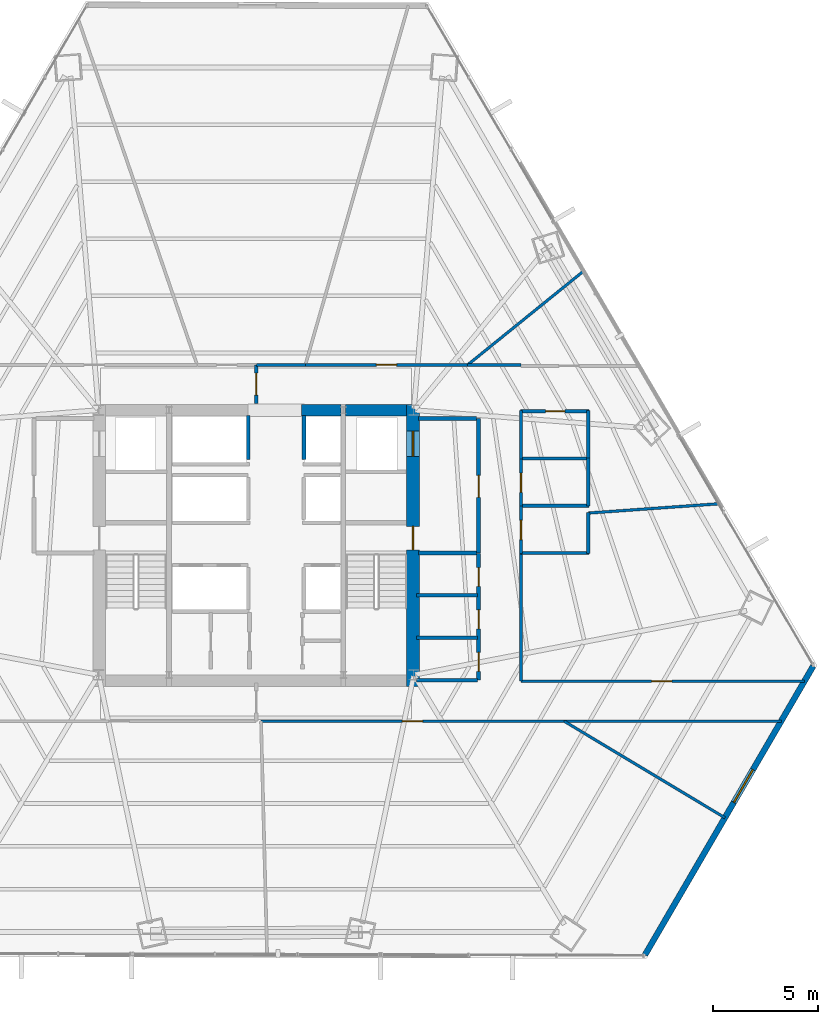
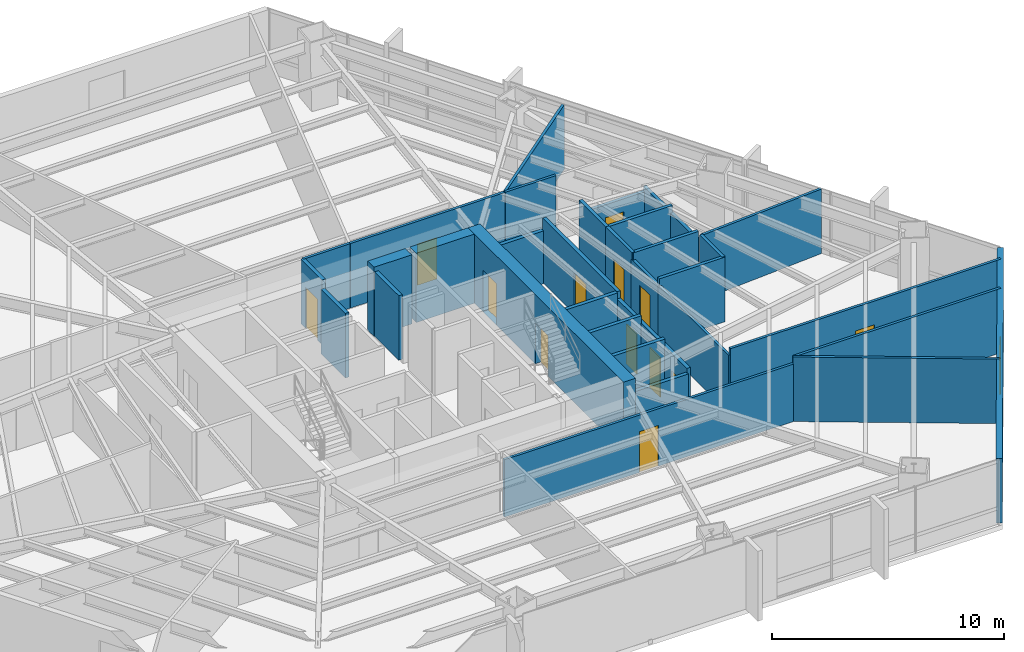
# One storey, part 29 of 33: 34 walls, 13 doors, 1 window, 14 openings.
"""IFC4 building model written with IfcOpenShell, lengths in metres."""

from ifc_helpers import new_model, si_unit, direction, frame, frame_2d, origin, place, context, subcontext, project, spatial, rectangle, extrude, material, layer, layer_set, type_object, element, fill, save


model = new_model("IFC4")

# Units and contexts
model_context = context("Model", 3, precision=1e-05, world=origin(), true_north=direction((0.0, 1.0)))
body_context = subcontext(model_context, "Body", "Model", "MODEL_VIEW")
ifc_project = project(units=[si_unit("LENGTHUNIT", "METRE"), si_unit("AREAUNIT", "SQUARE_METRE"), si_unit("VOLUMEUNIT", "CUBIC_METRE"), si_unit("PLANEANGLEUNIT", "RADIAN"), si_unit("MASSUNIT", "GRAM", prefix="KILO")], contexts=[model_context])

# Site, building, storey
site_placement = place(None, origin())
site = spatial("IfcSite", under=ifc_project, at=site_placement, CompositionType="ELEMENT")
building_placement = place(site_placement, origin())
building = spatial("IfcBuilding", under=site, at=building_placement, Name="Caelisora Broadcast Tower", CompositionType="ELEMENT")
storey_placement = place(building_placement, frame((0.0, 0.0, 42.199951171875)))
storey = spatial("IfcBuildingStorey", under=building, at=storey_placement, Name="L10", CompositionType="ELEMENT", Elevation=42.199951171875)

# Wall, openings, doors
ifc_material_1 = material(Name="Concrete 65 MPa (AS 3600 S65)", Category="concrete")
ifc_layer_1 = layer(ifc_material_1, 0.60009765625, Name="Concrete 65 MPa (AS 3600 S65)")
ifc_layer_set_1 = layer_set([ifc_layer_1], Name="Concrete 65 MPa (AS 3600 S65)")
wall_type_1 = type_object("IfcWallType", Name="CW1", PredefinedType="SHEAR", material=ifc_layer_set_1)
wall_1_placement = place(storey_placement, frame((45.4599609375, 16.85009765625, 0.0), z_axis=(0.0, 0.0, 1.0), x_axis=(0.0, 1.0, 0.0)))
wall_1 = element("IfcWall", 1, at=wall_1_placement, inside=storey, type_object=wall_type_1, Name="L10 core shear wall CW1", PredefinedType="SHEAR", context=body_context, shape_type="SweptSolid", body=[
    extrude(rectangle(XDim=13.4248046875, YDim=0.60009765625, at=frame_2d((6.71240234375, 0.0))), origin(), (0.0, 0.0, 1.0), 3.650146484375),
])
opening_1_placement = place(wall_1_placement, frame((6.5, 0.0, 0.0)))
opening_1 = element("IfcOpeningElement", 2, at=opening_1_placement, cuts=wall_1, Name="Opening FD04", PredefinedType="OPENING", context=body_context, shape_type="SweptSolid", body=[
    extrude(rectangle(XDim=1.1201171875, YDim=2.14990234375, at=frame_2d((0.56005859375, 1.074951171875))), frame((0.0, 0.31201171875, 0.0), z_axis=(0.0, -1.0, 0.0), x_axis=(1.0, 0.0, 0.0)), (0.0, 0.0, 1.0), 0.6240234375),
])
opening_2_placement = place(wall_1_placement, frame((10.949951171875, 0.0, 0.0)))
opening_2 = element("IfcOpeningElement", 3, at=opening_2_placement, cuts=wall_1, Name="Opening LD04", PredefinedType="OPENING", context=body_context, shape_type="SweptSolid", body=[
    extrude(rectangle(XDim=1.199951171875, YDim=2.199951171875, at=frame_2d((0.60009765625, 1.10009765625))), frame((0.0, 0.31201171875, 0.0), z_axis=(0.0, -1.0, 0.0), x_axis=(1.0, 0.0, 0.0)), (0.0, 0.0, 1.0), 0.6240234375),
])
ifc_material_2 = material(Name="Pressurised Fire-Isolated Stair Door", Category="steel")
door_type_1 = type_object("IfcDoorType", Name="FD04", OperationType="NOTDEFINED", PredefinedType="DOOR", material=ifc_material_2)
door_1_placement = place(opening_1_placement, origin())
door_1 = element("IfcDoor", 4, at=door_1_placement, inside=storey, type_object=door_type_1, Name="L10 door FD04 (L10-DR-ST2)", OperationType="SINGLE_SWING_RIGHT", OverallHeight=2.14990234375, OverallWidth=1.1201171875, PredefinedType="DOOR", context=body_context, shape_type="SweptSolid", body=[
    extrude(rectangle(XDim=1.1201171875, YDim=2.14990234375, at=frame_2d((0.56005859375, 1.074951171875))), frame((0.0, 0.02490234375, 0.0), z_axis=(0.0, -1.0, 0.0), x_axis=(1.0, 0.0, 0.0)), (0.0, 0.0, 1.0), 0.050048828125),
])
fill(opening_1, door_1)
ifc_material_3 = material(Name="Emergency Firefighting Lift Sliding Landing Door", Category="steel")
door_type_2 = type_object("IfcDoorType", Name="LD04", OperationType="NOTDEFINED", PredefinedType="DOOR", material=ifc_material_3)
door_2_placement = place(opening_2_placement, origin())
door_2 = element("IfcDoor", 5, at=door_2_placement, inside=storey, type_object=door_type_2, Name="L10 door LD04 (L10-LD-FFL2)", OperationType="SLIDING_TO_RIGHT", OverallHeight=2.199951171875, OverallWidth=1.199951171875, PredefinedType="DOOR", context=body_context, shape_type="SweptSolid", body=[
    extrude(rectangle(XDim=1.199951171875, YDim=2.199951171875, at=frame_2d((0.60009765625, 1.10009765625))), frame((0.0, 0.02490234375, 0.0), z_axis=(0.0, -1.0, 0.0), x_axis=(1.0, 0.0, 0.0)), (0.0, 0.0, 1.0), 0.050048828125),
])
fill(opening_2, door_2)

# Walls
ifc_layer_2 = layer(ifc_material_1, 0.550048828125, Name="Concrete 65 MPa (AS 3600 S65)")
ifc_layer_set_2 = layer_set([ifc_layer_2], Name="Concrete 65 MPa (AS 3600 S65)")
wall_type_2 = type_object("IfcWallType", Name="CW4", PredefinedType="SHEAR", material=ifc_layer_set_2)
wall_2_placement = place(storey_placement, frame((40.159912109375, 30.0, 0.0), z_axis=(0.0, 0.0, 1.0), x_axis=(1.0, 0.0, 0.0)))
element("IfcWall", 6, at=wall_2_placement, inside=storey, type_object=wall_type_2, Name="L10 core shear wall CW4", PredefinedType="SHEAR", context=body_context, shape_type="SweptSolid", body=[
    extrude(rectangle(XDim=1.880126953125, YDim=0.550048828125, at=frame_2d((0.93994140625, 0.0))), origin(), (0.0, 0.0, 1.0), 3.650146484375),
])
wall_3_placement = place(storey_placement, frame((42.260009765625, 30.0, 0.0), z_axis=(0.0, 0.0, 1.0), x_axis=(1.0, 0.0, 0.0)))
element("IfcWall", 7, at=wall_3_placement, inside=storey, type_object=wall_type_2, Name="L10 core shear wall CW4", PredefinedType="SHEAR", context=body_context, shape_type="SweptSolid", body=[
    extrude(rectangle(XDim=2.89990234375, YDim=0.550048828125, at=frame_2d((1.449951171875, 0.0))), origin(), (0.0, 0.0, 1.0), 3.650146484375),
])

# Wall, opening, window
ifc_material_4 = material(Name="Insulated Terracotta Spandrel Wall System", Category="masonry")
ifc_layer_3 = layer(ifc_material_4, 0.280029296875, Name="Insulated Terracotta Spandrel Wall System")
ifc_layer_set_3 = layer_set([ifc_layer_3], Name="Insulated Terracotta Spandrel Wall System")
wall_type_3 = type_object("IfcWallType", Name="EW1", PredefinedType="STANDARD", material=ifc_layer_set_3)
wall_4_placement = place(storey_placement, frame((64.5048828125, 17.817138671875, 0.0), z_axis=(0.0, 0.0, 1.0), x_axis=(-0.503279106075, -0.864123915528, 0.0)))
wall_4 = element("IfcWall", 8, at=wall_4_placement, inside=storey, type_object=wall_type_3, Name="L10 exterior envelope wall EW1", PredefinedType="STANDARD", context=body_context, shape_type="SweptSolid", body=[
    extrude(rectangle(XDim=15.903076171875, YDim=0.280029296875, at=frame_2d((7.95166015625, 0.0))), origin(), (0.0, 0.0, 1.0), 3.400146484375),
])
opening_3_placement = place(wall_4_placement, frame((5.699951171875, 0.0, 0.89990234375)))
opening_3 = element("IfcOpeningElement", 9, at=opening_3_placement, cuts=wall_4, Name="Opening W01", PredefinedType="OPENING", context=body_context, shape_type="SweptSolid", body=[
    extrude(rectangle(XDim=1.800048828125, YDim=1.800048828125, at=frame_2d((0.89990234375, 0.89990234375))), frame((0.0, 0.152099609375, 0.0), z_axis=(0.0, -1.0, 0.0), x_axis=(1.0, 0.0, 0.0)), (0.0, 0.0, 1.0), 0.303955078125),
])
ifc_material_5 = material(Name="Double Glazed Terracotta-Framed Vision Window", Category="glass")
window_type = type_object("IfcWindowType", Name="W01", PartitioningType="SINGLE_PANEL", PredefinedType="WINDOW", material=ifc_material_5)
window_placement = place(opening_3_placement, origin())
window = element("IfcWindow", 10, at=window_placement, inside=storey, type_object=window_type, Name="L10 window W01 (L10-WN-CH0)", OverallHeight=1.800048828125, OverallWidth=1.800048828125, PartitioningType="SINGLE_PANEL", PredefinedType="WINDOW", context=body_context, shape_type="SweptSolid", body=[
    extrude(rectangle(XDim=1.800048828125, YDim=1.800048828125, at=frame_2d((0.89990234375, 0.89990234375))), frame((0.0, 0.030029296875, 0.0), z_axis=(0.0, -1.0, 0.0), x_axis=(1.0, 0.0, 0.0)), (0.0, 0.0, 1.0), 0.06005859375),
])
fill(opening_3, window)

# Walls
ifc_material_6 = material(Name="Fire-Rated Gypsum Shaft and Compartment Wall", Category="gypsum")
ifc_layer_4 = layer(ifc_material_6, 0.179931640625, Name="Fire-Rated Gypsum Shaft and Compartment Wall")
ifc_layer_set_4 = layer_set([ifc_layer_4], Name="Fire-Rated Gypsum Shaft and Compartment Wall")
wall_type_4 = type_object("IfcWallType", Name="PW2", PredefinedType="PARTITIONING", material=ifc_layer_set_4)
for number, where, z_axis, x_axis, name in (
    (11, (37.6201171875, 27.639892578125, 0.0), (0.0, 0.0, 1.0), (0.0, 1.0, 0.0), "L10 fire compartment wall PW2"),
    (12, (40.280029296875, 27.639892578125, 0.0), (0.0, 0.0, 1.0), (0.0, 1.0, 0.0), "L10 fire compartment wall PW2"),
):
    element("IfcWall", number, at=place(storey_placement, frame(where, z_axis=z_axis, x_axis=x_axis)), inside=storey, type_object=wall_type_4, Name=name, PredefinedType="PARTITIONING", context=body_context, shape_type="SweptSolid", body=[
        extrude(rectangle(XDim=2.110107421875, YDim=0.179931640625, at=frame_2d((1.05517578125, 0.0))), origin(), (0.0, 0.0, 1.0), 3.400146484375),
    ])

# Wall, opening, door
wall_5_placement = place(storey_placement, frame((48.580078125, 23.199951171875, 0.0), z_axis=(0.0, 0.0, 1.0), x_axis=(0.0, 1.0, 0.0)))
wall_5 = element("IfcWall", 13, at=wall_5_placement, inside=storey, type_object=wall_type_4, Name="L10 fire compartment wall PW2", PredefinedType="PARTITIONING", context=body_context, shape_type="SweptSolid", body=[
    extrude(rectangle(XDim=6.400146484375, YDim=0.179931640625, at=frame_2d((3.2001953125, 0.0))), origin(), (0.0, 0.0, 1.0), 3.400146484375),
])
opening_4_placement = place(wall_5_placement, frame((2.64990234375, 0.0, 0.0)))
opening_4 = element("IfcOpeningElement", 14, at=opening_4_placement, cuts=wall_5, Name="Opening FD02", PredefinedType="OPENING", context=body_context, shape_type="SweptSolid", body=[
    extrude(rectangle(XDim=1.050048828125, YDim=2.14990234375, at=frame_2d((0.52490234375, 1.074951171875))), frame((0.0, 0.10205078125, 0.0), z_axis=(0.0, -1.0, 0.0), x_axis=(1.0, 0.0, 0.0)), (0.0, 0.0, 1.0), 0.203857421875),
])
ifc_material_7 = material(Name="Single-Leaf Steel Fire Lobby Door", Category="steel")
door_type_3 = type_object("IfcDoorType", Name="FD02", OperationType="NOTDEFINED", PredefinedType="DOOR", material=ifc_material_7)
door_3_placement = place(opening_4_placement, origin())
door_3 = element("IfcDoor", 15, at=door_3_placement, inside=storey, type_object=door_type_3, Name="L10 door FD02 (L10-DR-P04D1)", OperationType="SINGLE_SWING_RIGHT", OverallHeight=2.14990234375, OverallWidth=1.050048828125, PredefinedType="DOOR", context=body_context, shape_type="SweptSolid", body=[
    extrude(rectangle(XDim=1.050048828125, YDim=2.14990234375, at=frame_2d((0.52490234375, 1.074951171875))), frame((0.0, 0.02490234375, 0.0), z_axis=(0.0, -1.0, 0.0), x_axis=(1.0, 0.0, 0.0)), (0.0, 0.0, 1.0), 0.050048828125),
])
fill(opening_4, door_3)

# Walls
wall_6_placement = place(storey_placement, frame((45.719970703125, 23.199951171875, 0.0), z_axis=(0.0, 0.0, 1.0), x_axis=(1.0, 0.0, 0.0)))
element("IfcWall", 16, at=wall_6_placement, inside=storey, type_object=wall_type_4, Name="L10 fire compartment wall PW2", PredefinedType="PARTITIONING", context=body_context, shape_type="SweptSolid", body=[
    extrude(rectangle(XDim=2.760009765625, YDim=0.179931640625, at=frame_2d((1.3798828125, 0.0))), origin(), (0.0, 0.0, 1.0), 3.400146484375),
])
wall_7_placement = place(storey_placement, frame((45.719970703125, 29.60009765625, 0.0), z_axis=(0.0, 0.0, 1.0), x_axis=(1.0, 0.0, 0.0)))
element("IfcWall", 17, at=wall_7_placement, inside=storey, type_object=wall_type_4, Name="L10 fire compartment wall PW2", PredefinedType="PARTITIONING", context=body_context, shape_type="SweptSolid", body=[
    extrude(rectangle(XDim=2.760009765625, YDim=0.179931640625, at=frame_2d((1.3798828125, 0.0))), origin(), (0.0, 0.0, 1.0), 2.782958984375),
])
for number, where, z_axis, x_axis, name in (
    (18, (45.6201171875, 19.169921875, 0.0), (0.0, 0.0, 1.0), (1.0, 0.0, 0.0), "L10 fire compartment wall PW2"),
    (19, (45.6201171875, 21.18994140625, 0.0), (0.0, 0.0, 1.0), (1.0, 0.0, 0.0), "L10 fire compartment wall PW2"),
):
    element("IfcWall", number, at=place(storey_placement, frame(where, z_axis=z_axis, x_axis=x_axis)), inside=storey, type_object=wall_type_4, Name=name, PredefinedType="PARTITIONING", context=body_context, shape_type="SweptSolid", body=[
        extrude(rectangle(XDim=2.89990234375, YDim=0.179931640625, at=frame_2d((1.449951171875, 0.0))), origin(), (0.0, 0.0, 1.0), 3.400146484375),
    ])

# Wall, openings, doors
wall_8_placement = place(storey_placement, frame((48.580078125, 17.14990234375, 0.0), z_axis=(0.0, 0.0, 1.0), x_axis=(0.0, 1.0, 0.0)))
wall_8 = element("IfcWall", 20, at=wall_8_placement, inside=storey, type_object=wall_type_4, Name="L10 fire compartment wall PW2", PredefinedType="PARTITIONING", context=body_context, shape_type="SweptSolid", body=[
    extrude(rectangle(XDim=6.030029296875, YDim=0.179931640625, at=frame_2d((3.01513671875, 0.0))), origin(), (0.0, 0.0, 1.0), 3.0263671875),
])
opening_5_placement = place(wall_8_placement, frame((0.419921875, 0.0, 0.0)))
opening_5 = element("IfcOpeningElement", 21, at=opening_5_placement, cuts=wall_8, Name="Opening FD03", PredefinedType="OPENING", context=body_context, shape_type="SweptSolid", body=[
    extrude(rectangle(XDim=0.89990234375, YDim=2.10009765625, at=frame_2d((0.449951171875, 1.050048828125))), frame((0.0, 0.10205078125, 0.0), z_axis=(0.0, -1.0, 0.0), x_axis=(1.0, 0.0, 0.0)), (0.0, 0.0, 1.0), 0.203857421875),
])
opening_6_placement = place(wall_8_placement, frame((2.43994140625, 0.0, 0.0)))
opening_6 = element("IfcOpeningElement", 22, at=opening_6_placement, cuts=wall_8, Name="Opening FD03", PredefinedType="OPENING", context=body_context, shape_type="SweptSolid", body=[
    extrude(rectangle(XDim=0.89990234375, YDim=2.10009765625, at=frame_2d((0.449951171875, 1.050048828125))), frame((0.0, 0.10205078125, 0.0), z_axis=(0.0, -1.0, 0.0), x_axis=(1.0, 0.0, 0.0)), (0.0, 0.0, 1.0), 0.203857421875),
])
opening_7_placement = place(wall_8_placement, frame((4.4599609375, 0.0, 0.0)))
opening_7 = element("IfcOpeningElement", 23, at=opening_7_placement, cuts=wall_8, Name="Opening FD03", PredefinedType="OPENING", context=body_context, shape_type="SweptSolid", body=[
    extrude(rectangle(XDim=0.89990234375, YDim=2.10009765625, at=frame_2d((0.449951171875, 1.050048828125))), frame((0.0, 0.10205078125, 0.0), z_axis=(0.0, -1.0, 0.0), x_axis=(1.0, 0.0, 0.0)), (0.0, 0.0, 1.0), 0.203857421875),
])
ifc_material_8 = material(Name="Single-Leaf Steel Riser Fire Access Door", Category="steel")
door_type_4 = type_object("IfcDoorType", Name="FD03", OperationType="NOTDEFINED", PredefinedType="DOOR", material=ifc_material_8)
door_4_placement = place(opening_5_placement, origin())
door_4 = element("IfcDoor", 24, at=door_4_placement, inside=storey, type_object=door_type_4, Name="L10 door FD03 (L10-DR-P17D1)", OperationType="SINGLE_SWING_LEFT", OverallHeight=2.10009765625, OverallWidth=0.89990234375, PredefinedType="DOOR", context=body_context, shape_type="SweptSolid", body=[
    extrude(rectangle(XDim=0.89990234375, YDim=2.10009765625, at=frame_2d((0.449951171875, 1.050048828125))), frame((0.0, 0.02490234375, 0.0), z_axis=(0.0, -1.0, 0.0), x_axis=(1.0, 0.0, 0.0)), (0.0, 0.0, 1.0), 0.050048828125),
])
fill(opening_5, door_4)
door_5_placement = place(opening_6_placement, origin())
door_5 = element("IfcDoor", 25, at=door_5_placement, inside=storey, type_object=door_type_4, Name="L10 door FD03 (L10-DR-P17D2)", OperationType="SINGLE_SWING_RIGHT", OverallHeight=2.10009765625, OverallWidth=0.89990234375, PredefinedType="DOOR", context=body_context, shape_type="SweptSolid", body=[
    extrude(rectangle(XDim=0.89990234375, YDim=2.10009765625, at=frame_2d((0.449951171875, 1.050048828125))), frame((0.0, 0.02490234375, 0.0), z_axis=(0.0, -1.0, 0.0), x_axis=(1.0, 0.0, 0.0)), (0.0, 0.0, 1.0), 0.050048828125),
])
fill(opening_6, door_5)
door_6_placement = place(opening_7_placement, origin())
door_6 = element("IfcDoor", 26, at=door_6_placement, inside=storey, type_object=door_type_4, Name="L10 door FD03 (L10-DR-P17D3)", OperationType="SINGLE_SWING_LEFT", OverallHeight=2.10009765625, OverallWidth=0.89990234375, PredefinedType="DOOR", context=body_context, shape_type="SweptSolid", body=[
    extrude(rectangle(XDim=0.89990234375, YDim=2.10009765625, at=frame_2d((0.449951171875, 1.050048828125))), frame((0.0, 0.02490234375, 0.0), z_axis=(0.0, -1.0, 0.0), x_axis=(1.0, 0.0, 0.0)), (0.0, 0.0, 1.0), 0.050048828125),
])
fill(opening_7, door_6)

# Wall
wall_9_placement = place(storey_placement, frame((45.6201171875, 17.14990234375, 0.0), z_axis=(0.0, 0.0, 1.0), x_axis=(1.0, 0.0, 0.0)))
element("IfcWall", 27, at=wall_9_placement, inside=storey, type_object=wall_type_4, Name="L10 fire compartment wall PW2", PredefinedType="PARTITIONING", context=body_context, shape_type="SweptSolid", body=[
    extrude(rectangle(XDim=2.89990234375, YDim=0.179931640625, at=frame_2d((1.449951171875, 0.0))), origin(), (0.0, 0.0, 1.0), 2.782958984375),
])

# Wall, opening, door
wall_10_placement = place(storey_placement, frame((38.0, 30.320068359375, 0.0), z_axis=(0.0, 0.0, 1.0), x_axis=(0.0, 1.0, 0.0)))
wall_10 = element("IfcWall", 28, at=wall_10_placement, inside=storey, type_object=wall_type_4, Name="L10 fire compartment wall PW2", PredefinedType="PARTITIONING", context=body_context, shape_type="SweptSolid", body=[
    extrude(rectangle(XDim=1.824951171875, YDim=0.179931640625, at=frame_2d((0.91259765625, 0.0))), origin(), (0.0, 0.0, 1.0), 3.400146484375),
])
opening_8_placement = place(wall_10_placement, frame((0.387939453125, 0.0, 0.0)))
opening_8 = element("IfcOpeningElement", 29, at=opening_8_placement, cuts=wall_10, Name="Opening FD02", PredefinedType="OPENING", context=body_context, shape_type="SweptSolid", body=[
    extrude(rectangle(XDim=1.050048828125, YDim=2.14990234375, at=frame_2d((0.52490234375, 1.074951171875))), frame((0.0, 0.10205078125, 0.0), z_axis=(0.0, -1.0, 0.0), x_axis=(1.0, 0.0, 0.0)), (0.0, 0.0, 1.0), 0.203857421875),
])
door_7_placement = place(opening_8_placement, origin())
door_7 = element("IfcDoor", 30, at=door_7_placement, inside=storey, type_object=door_type_3, Name="L10 door FD02 (L10-DR-P56D1)", OperationType="SINGLE_SWING_RIGHT", OverallHeight=2.14990234375, OverallWidth=1.050048828125, PredefinedType="DOOR", context=body_context, shape_type="SweptSolid", body=[
    extrude(rectangle(XDim=1.050048828125, YDim=2.14990234375, at=frame_2d((0.52490234375, 1.074951171875))), frame((0.0, 0.02490234375, 0.0), z_axis=(0.0, -1.0, 0.0), x_axis=(1.0, 0.0, 0.0)), (0.0, 0.0, 1.0), 0.050048828125),
])
fill(opening_8, door_7)

ifc_material_9 = material(Name="Acoustic Steel-Stud Plasterboard Partition", Category="gypsum")
ifc_layer_5 = layer(ifc_material_9, 0.1298828125, Name="Acoustic Steel-Stud Plasterboard Partition")
ifc_layer_set_5 = layer_set([ifc_layer_5], Name="Acoustic Steel-Stud Plasterboard Partition")
wall_type_5 = type_object("IfcWallType", Name="PW3", PredefinedType="PARTITIONING", material=ifc_layer_set_5)
wall_11_placement = place(storey_placement, frame((38.235107421875, 15.199951171875, 0.0), z_axis=(0.0, 0.0, 1.0), x_axis=(1.0, 0.0, 0.0)))
wall_11 = element("IfcWall", 31, at=wall_11_placement, inside=storey, type_object=wall_type_5, Name="L10 internal partition PW3", PredefinedType="PARTITIONING", context=body_context, shape_type="SweptSolid", body=[
    extrude(rectangle(XDim=14.409912109375, YDim=0.1298828125, at=frame_2d((7.205078125, 0.0))), origin(), (0.0, 0.0, 1.0), 3.0263671875),
])
opening_9_placement = place(wall_11_placement, frame((6.72509765625, 0.0, 0.0)))
opening_9 = element("IfcOpeningElement", 32, at=opening_9_placement, cuts=wall_11, Name="Opening D01", PredefinedType="OPENING", context=body_context, shape_type="SweptSolid", body=[
    extrude(rectangle(XDim=0.9599609375, YDim=2.14990234375, at=frame_2d((0.47998046875, 1.074951171875))), frame((0.0, 0.076904296875, 0.0), z_axis=(0.0, -1.0, 0.0), x_axis=(1.0, 0.0, 0.0)), (0.0, 0.0, 1.0), 0.15380859375),
])
ifc_material_10 = material(Name="Solid-Core Timber Acoustic Office Door", Category="wood")
door_type_5 = type_object("IfcDoorType", Name="D01", OperationType="NOTDEFINED", PredefinedType="DOOR", material=ifc_material_10)
door_8_placement = place(opening_9_placement, origin())
door_8 = element("IfcDoor", 33, at=door_8_placement, inside=storey, type_object=door_type_5, Name="L10 door D01 (L10-DR-P31D1)", OperationType="SINGLE_SWING_LEFT", OverallHeight=2.14990234375, OverallWidth=0.9599609375, PredefinedType="DOOR", context=body_context, shape_type="SweptSolid", body=[
    extrude(rectangle(XDim=0.9599609375, YDim=2.14990234375, at=frame_2d((0.47998046875, 1.074951171875))), frame((0.0, 0.02490234375, 0.0), z_axis=(0.0, -1.0, 0.0), x_axis=(1.0, 0.0, 0.0)), (0.0, 0.0, 1.0), 0.050048828125),
])
fill(opening_9, door_8)

wall_12_placement = place(storey_placement, frame((64.093505859375, 17.10009765625, 0.0), z_axis=(0.0, 0.0, 1.0), x_axis=(-1.0, 0.0, 0.0)))
wall_12 = element("IfcWall", 34, at=wall_12_placement, inside=storey, type_object=wall_type_5, Name="L10 internal partition PW3", PredefinedType="PARTITIONING", context=body_context, shape_type="SweptSolid", body=[
    extrude(rectangle(XDim=13.488525390625, YDim=0.1298828125, at=frame_2d((6.744140625, 0.0))), origin(), (0.0, 0.0, 1.0), 3.400146484375),
])
opening_10_placement = place(wall_12_placement, frame((6.318115234375, 0.0, 0.0)))
opening_10 = element("IfcOpeningElement", 35, at=opening_10_placement, cuts=wall_12, Name="Opening D01", PredefinedType="OPENING", context=body_context, shape_type="SweptSolid", body=[
    extrude(rectangle(XDim=0.9599609375, YDim=2.14990234375, at=frame_2d((0.47998046875, 1.074951171875))), frame((0.0, 0.076904296875, 0.0), z_axis=(0.0, -1.0, 0.0), x_axis=(1.0, 0.0, 0.0)), (0.0, 0.0, 1.0), 0.15380859375),
])
door_9_placement = place(opening_10_placement, origin())
door_9 = element("IfcDoor", 36, at=door_9_placement, inside=storey, type_object=door_type_5, Name="L10 door D01 (L10-DR-P32D1)", OperationType="SINGLE_SWING_RIGHT", OverallHeight=2.14990234375, OverallWidth=0.9599609375, PredefinedType="DOOR", context=body_context, shape_type="SweptSolid", body=[
    extrude(rectangle(XDim=0.9599609375, YDim=2.14990234375, at=frame_2d((0.47998046875, 1.074951171875))), frame((0.0, 0.02490234375, 0.0), z_axis=(0.0, -1.0, 0.0), x_axis=(1.0, 0.0, 0.0)), (0.0, 0.0, 1.0), 0.050048828125),
])
fill(opening_10, door_9)

# Walls
wall_13_placement = place(storey_placement, frame((52.655029296875, 15.199951171875, 0.0), z_axis=(0.0, 0.0, 1.0), x_axis=(1.0, 0.0, 0.0)))
element("IfcWall", 37, at=wall_13_placement, inside=storey, type_object=wall_type_5, Name="L10 internal partition PW3", PredefinedType="PARTITIONING", context=body_context, shape_type="SweptSolid", body=[
    extrude(rectangle(XDim=10.331787109375, YDim=0.1298828125, at=frame_2d((5.166015625, 0.0))), origin(), (0.0, 0.0, 1.0), 3.400146484375),
])
wall_14_placement = place(storey_placement, frame((60.30712890625, 10.599609375, 0.0), z_axis=(0.0, 0.0, 1.0), x_axis=(-0.857217733715, 0.514954130972, 0.0)))
element("IfcWall", 38, at=wall_14_placement, inside=storey, type_object=wall_type_5, Name="L10 internal partition PW3", PredefinedType="PARTITIONING", context=body_context, shape_type="SweptSolid", body=[
    extrude(rectangle(XDim=8.927734375, YDim=0.1298828125, at=frame_2d((4.4638671875, 0.0))), origin(), (0.0, 0.0, 1.0), 3.400146484375),
])

# Wall, opening, door
wall_15_placement = place(storey_placement, frame((40.344970703125, 32.14990234375, 0.0), z_axis=(0.0, 0.0, 1.0), x_axis=(1.0, 0.0, 0.0)))
wall_15 = element("IfcWall", 39, at=wall_15_placement, inside=storey, type_object=wall_type_5, Name="L10 internal partition PW3", PredefinedType="PARTITIONING", context=body_context, shape_type="SweptSolid", body=[
    extrude(rectangle(XDim=7.7099609375, YDim=0.1298828125, at=frame_2d((3.85498046875, 0.0))), origin(), (0.0, 0.0, 1.0), 3.400146484375),
])
opening_11_placement = place(wall_15_placement, frame((3.375, 0.0, 0.0)))
opening_11 = element("IfcOpeningElement", 40, at=opening_11_placement, cuts=wall_15, Name="Opening D01", PredefinedType="OPENING", context=body_context, shape_type="SweptSolid", body=[
    extrude(rectangle(XDim=0.9599609375, YDim=2.14990234375, at=frame_2d((0.47998046875, 1.074951171875))), frame((0.0, 0.076904296875, 0.0), z_axis=(0.0, -1.0, 0.0), x_axis=(1.0, 0.0, 0.0)), (0.0, 0.0, 1.0), 0.15380859375),
])
door_10_placement = place(opening_11_placement, origin())
door_10 = element("IfcDoor", 41, at=door_10_placement, inside=storey, type_object=door_type_5, Name="L10 door D01 (L10-DR-P42D1)", OperationType="SINGLE_SWING_LEFT", OverallHeight=2.14990234375, OverallWidth=0.9599609375, PredefinedType="DOOR", context=body_context, shape_type="SweptSolid", body=[
    extrude(rectangle(XDim=0.9599609375, YDim=2.14990234375, at=frame_2d((0.47998046875, 1.074951171875))), frame((0.0, 0.02490234375, 0.0), z_axis=(0.0, -1.0, 0.0), x_axis=(1.0, 0.0, 0.0)), (0.0, 0.0, 1.0), 0.050048828125),
])
fill(opening_11, door_10)

# Walls
wall_16_placement = place(storey_placement, frame((48.06396484375, 32.153076171875, 0.0), z_axis=(0.0, 0.0, 1.0), x_axis=(0.777435308491, 0.62896290917, 0.0)))
element("IfcWall", 42, at=wall_16_placement, inside=storey, type_object=wall_type_5, Name="L10 internal partition PW3", PredefinedType="PARTITIONING", context=body_context, shape_type="SweptSolid", body=[
    extrude(rectangle(XDim=7.04443359375, YDim=0.1298828125, at=frame_2d((3.522216796875, 0.0))), origin(), (0.0, 0.0, 1.0), 3.400146484375),
])
wall_17_placement = place(storey_placement, frame((53.804931640625, 25.10009765625, 0.0), z_axis=(0.0, 0.0, 1.0), x_axis=(0.997470434993, 0.071082566886, 0.0)))
element("IfcWall", 43, at=wall_17_placement, inside=storey, type_object=wall_type_5, Name="L10 internal partition PW3", PredefinedType="PARTITIONING", context=body_context, shape_type="SweptSolid", body=[
    extrude(rectangle(XDim=6.223388671875, YDim=0.1298828125, at=frame_2d((3.11181640625, 0.0))), origin(), (0.0, 0.0, 1.0), 3.400146484375),
])
wall_18_placement = place(storey_placement, frame((50.60009765625, 17.10498046875, 0.0), z_axis=(0.0, 0.0, 1.0), x_axis=(0.0, 1.0, 0.0)))
element("IfcWall", 44, at=wall_18_placement, inside=storey, type_object=wall_type_5, Name="L10 internal partition PW3", PredefinedType="PARTITIONING", context=body_context, shape_type="SweptSolid", body=[
    extrude(rectangle(XDim=6.090087890625, YDim=0.1298828125, at=frame_2d((3.044921875, 0.0))), origin(), (0.0, 0.0, 1.0), 3.0263671875),
])
wall_19_placement = place(storey_placement, frame((48.06494140625, 32.14990234375, 0.0), z_axis=(0.0, 0.0, 1.0), x_axis=(1.0, 0.0, 0.0)))
element("IfcWall", 45, at=wall_19_placement, inside=storey, type_object=wall_type_5, Name="L10 internal partition PW3", PredefinedType="PARTITIONING", context=body_context, shape_type="SweptSolid", body=[
    extrude(rectangle(XDim=2.530029296875, YDim=0.1298828125, at=frame_2d((1.26513671875, 0.0))), origin(), (0.0, 0.0, 1.0), 3.400146484375),
])
wall_20_placement = place(storey_placement, frame((38.0048828125, 32.14990234375, 0.0), z_axis=(0.0, 0.0, 1.0), x_axis=(1.0, 0.0, 0.0)))
element("IfcWall", 46, at=wall_20_placement, inside=storey, type_object=wall_type_5, Name="L10 internal partition PW3", PredefinedType="PARTITIONING", context=body_context, shape_type="SweptSolid", body=[
    extrude(rectangle(XDim=2.330078125, YDim=0.1298828125, at=frame_2d((1.1650390625, 0.0))), origin(), (0.0, 0.0, 1.0), 3.400146484375),
])
ifc_material_11 = material(Name="Moisture-Resistant Wet Plumbing Service Wall", Category="gypsum")
ifc_layer_6 = layer(ifc_material_11, 0.159912109375, Name="Moisture-Resistant Wet Plumbing Service Wall")
ifc_layer_set_6 = layer_set([ifc_layer_6], Name="Moisture-Resistant Wet Plumbing Service Wall")
wall_type_6 = type_object("IfcWallType", Name="PW4", PredefinedType="PLUMBINGWALL", material=ifc_layer_set_6)
for number, where, z_axis, x_axis, name in (
    (47, (50.574951171875, 23.199951171875, 0.0), (0.0, 0.0, 1.0), (1.0, 0.0, 0.0), "L10 wet plumbing wall PW4"),
    (48, (50.574951171875, 25.449951171875, 0.0), (0.0, 0.0, 1.0), (1.0, 0.0, 0.0), "L10 wet plumbing wall PW4"),
    (49, (50.574951171875, 27.699951171875, 0.0), (0.0, 0.0, 1.0), (1.0, 0.0, 0.0), "L10 wet plumbing wall PW4"),
):
    element("IfcWall", number, at=place(storey_placement, frame(where, z_axis=z_axis, x_axis=x_axis)), inside=storey, type_object=wall_type_6, Name=name, PredefinedType="PLUMBINGWALL", context=body_context, shape_type="SweptSolid", body=[
        extrude(rectangle(XDim=3.25, YDim=0.159912109375, at=frame_2d((1.625, 0.0))), origin(), (0.0, 0.0, 1.0), 3.400146484375),
    ])

# Wall, opening, door
wall_21_placement = place(storey_placement, frame((53.824951171875, 29.949951171875, 0.0), z_axis=(0.0, 0.0, 1.0), x_axis=(-1.0, 0.0, 0.0)))
wall_21 = element("IfcWall", 50, at=wall_21_placement, inside=storey, type_object=wall_type_6, Name="L10 wet plumbing wall PW4", PredefinedType="PLUMBINGWALL", context=body_context, shape_type="SweptSolid", body=[
    extrude(rectangle(XDim=3.25, YDim=0.159912109375, at=frame_2d((1.625, 0.0))), origin(), (0.0, 0.0, 1.0), 2.782958984375),
])
opening_12_placement = place(wall_21_placement, frame((1.135009765625, 0.0, 0.0)))
opening_12 = element("IfcOpeningElement", 51, at=opening_12_placement, cuts=wall_21, Name="Opening D03", PredefinedType="OPENING", context=body_context, shape_type="SweptSolid", body=[
    extrude(rectangle(XDim=0.919921875, YDim=2.10009765625, at=frame_2d((0.4599609375, 1.050048828125))), frame((0.0, 0.092041015625, 0.0), z_axis=(0.0, -1.0, 0.0), x_axis=(1.0, 0.0, 0.0)), (0.0, 0.0, 1.0), 0.183837890625),
])
ifc_material_12 = material(Name="Laminate Moisture-Resistant Amenity WC Door", Category="wood")
door_type_6 = type_object("IfcDoorType", Name="D03", OperationType="NOTDEFINED", PredefinedType="DOOR", material=ifc_material_12)
door_11_placement = place(opening_12_placement, origin())
door_11 = element("IfcDoor", 52, at=door_11_placement, inside=storey, type_object=door_type_6, Name="L10 door D03 (L10-DR-P22D1)", OperationType="SINGLE_SWING_RIGHT", OverallHeight=2.10009765625, OverallWidth=0.919921875, PredefinedType="DOOR", context=body_context, shape_type="SweptSolid", body=[
    extrude(rectangle(XDim=0.919921875, YDim=2.10009765625, at=frame_2d((0.4599609375, 1.050048828125))), frame((0.0, 0.02490234375, 0.0), z_axis=(0.0, -1.0, 0.0), x_axis=(1.0, 0.0, 0.0)), (0.0, 0.0, 1.0), 0.050048828125),
])
fill(opening_12, door_11)

# Wall
wall_22_placement = place(storey_placement, frame((50.60009765625, 27.675048828125, 0.0), z_axis=(0.0, 0.0, 1.0), x_axis=(0.0, 1.0, 0.0)))
element("IfcWall", 53, at=wall_22_placement, inside=storey, type_object=wall_type_6, Name="L10 wet plumbing wall PW4", PredefinedType="PLUMBINGWALL", context=body_context, shape_type="SweptSolid", body=[
    extrude(rectangle(XDim=2.300048828125, YDim=0.159912109375, at=frame_2d((1.14990234375, 0.0))), origin(), (0.0, 0.0, 1.0), 3.400146484375),
])

# Wall, opening, door
wall_23_placement = place(storey_placement, frame((50.60009765625, 25.425048828125, 0.0), z_axis=(0.0, 0.0, 1.0), x_axis=(0.0, 1.0, 0.0)))
wall_23 = element("IfcWall", 54, at=wall_23_placement, inside=storey, type_object=wall_type_6, Name="L10 wet plumbing wall PW4", PredefinedType="PLUMBINGWALL", context=body_context, shape_type="SweptSolid", body=[
    extrude(rectangle(XDim=2.300048828125, YDim=0.159912109375, at=frame_2d((1.14990234375, 0.0))), origin(), (0.0, 0.0, 1.0), 3.400146484375),
])
opening_13_placement = place(wall_23_placement, frame((0.659912109375, 0.0, 0.0)))
opening_13 = element("IfcOpeningElement", 55, at=opening_13_placement, cuts=wall_23, Name="Opening D03", PredefinedType="OPENING", context=body_context, shape_type="SweptSolid", body=[
    extrude(rectangle(XDim=0.919921875, YDim=2.10009765625, at=frame_2d((0.4599609375, 1.050048828125))), frame((0.0, 0.092041015625, 0.0), z_axis=(0.0, -1.0, 0.0), x_axis=(1.0, 0.0, 0.0)), (0.0, 0.0, 1.0), 0.183837890625),
])
door_12_placement = place(opening_13_placement, origin())
door_12 = element("IfcDoor", 56, at=door_12_placement, inside=storey, type_object=door_type_6, Name="L10 door D03 (L10-DR-P24D1)", OperationType="SINGLE_SWING_LEFT", OverallHeight=2.10009765625, OverallWidth=0.919921875, PredefinedType="DOOR", context=body_context, shape_type="SweptSolid", body=[
    extrude(rectangle(XDim=0.919921875, YDim=2.10009765625, at=frame_2d((0.4599609375, 1.050048828125))), frame((0.0, 0.02490234375, 0.0), z_axis=(0.0, -1.0, 0.0), x_axis=(1.0, 0.0, 0.0)), (0.0, 0.0, 1.0), 0.050048828125),
])
fill(opening_13, door_12)

wall_24_placement = place(storey_placement, frame((50.60009765625, 23.175048828125, 0.0), z_axis=(0.0, 0.0, 1.0), x_axis=(0.0, 1.0, 0.0)))
wall_24 = element("IfcWall", 57, at=wall_24_placement, inside=storey, type_object=wall_type_6, Name="L10 wet plumbing wall PW4", PredefinedType="PLUMBINGWALL", context=body_context, shape_type="SweptSolid", body=[
    extrude(rectangle(XDim=2.300048828125, YDim=0.159912109375, at=frame_2d((1.14990234375, 0.0))), origin(), (0.0, 0.0, 1.0), 3.0263671875),
])
opening_14_placement = place(wall_24_placement, frame((0.659912109375, 0.0, 0.0)))
opening_14 = element("IfcOpeningElement", 58, at=opening_14_placement, cuts=wall_24, Name="Opening D03", PredefinedType="OPENING", context=body_context, shape_type="SweptSolid", body=[
    extrude(rectangle(XDim=0.919921875, YDim=2.10009765625, at=frame_2d((0.4599609375, 1.050048828125))), frame((0.0, 0.092041015625, 0.0), z_axis=(0.0, -1.0, 0.0), x_axis=(1.0, 0.0, 0.0)), (0.0, 0.0, 1.0), 0.183837890625),
])
door_13_placement = place(opening_14_placement, origin())
door_13 = element("IfcDoor", 59, at=door_13_placement, inside=storey, type_object=door_type_6, Name="L10 door D03 (L10-DR-P25D1)", OperationType="SINGLE_SWING_RIGHT", OverallHeight=2.10009765625, OverallWidth=0.919921875, PredefinedType="DOOR", context=body_context, shape_type="SweptSolid", body=[
    extrude(rectangle(XDim=0.919921875, YDim=2.10009765625, at=frame_2d((0.4599609375, 1.050048828125))), frame((0.0, 0.02490234375, 0.0), z_axis=(0.0, -1.0, 0.0), x_axis=(1.0, 0.0, 0.0)), (0.0, 0.0, 1.0), 0.050048828125),
])
fill(opening_14, door_13)

# Walls
for number, where, z_axis, x_axis, name in (
    (60, (53.800048828125, 25.425048828125, 0.0), (0.0, 0.0, 1.0), (0.0, 1.0, 0.0), "L10 wet plumbing wall PW4"),
    (61, (53.800048828125, 27.675048828125, 0.0), (0.0, 0.0, 1.0), (0.0, 1.0, 0.0), "L10 wet plumbing wall PW4"),
):
    element("IfcWall", number, at=place(storey_placement, frame(where, z_axis=z_axis, x_axis=x_axis)), inside=storey, type_object=wall_type_6, Name=name, PredefinedType="PLUMBINGWALL", context=body_context, shape_type="SweptSolid", body=[
        extrude(rectangle(XDim=2.300048828125, YDim=0.159912109375, at=frame_2d((1.14990234375, 0.0))), origin(), (0.0, 0.0, 1.0), 3.0263671875),
    ])
wall_25_placement = place(storey_placement, frame((53.800048828125, 23.175048828125, 0.0), z_axis=(0.0, 0.0, 1.0), x_axis=(0.0, 1.0, 0.0)))
element("IfcWall", 62, at=wall_25_placement, inside=storey, type_object=wall_type_6, Name="L10 wet plumbing wall PW4", PredefinedType="PLUMBINGWALL", context=body_context, shape_type="SweptSolid", body=[
    extrude(rectangle(XDim=1.949951171875, YDim=0.159912109375, at=frame_2d((0.97509765625, 0.0))), origin(), (0.0, 0.0, 1.0), 3.400146484375),
])

save(model, "model.ifc")
